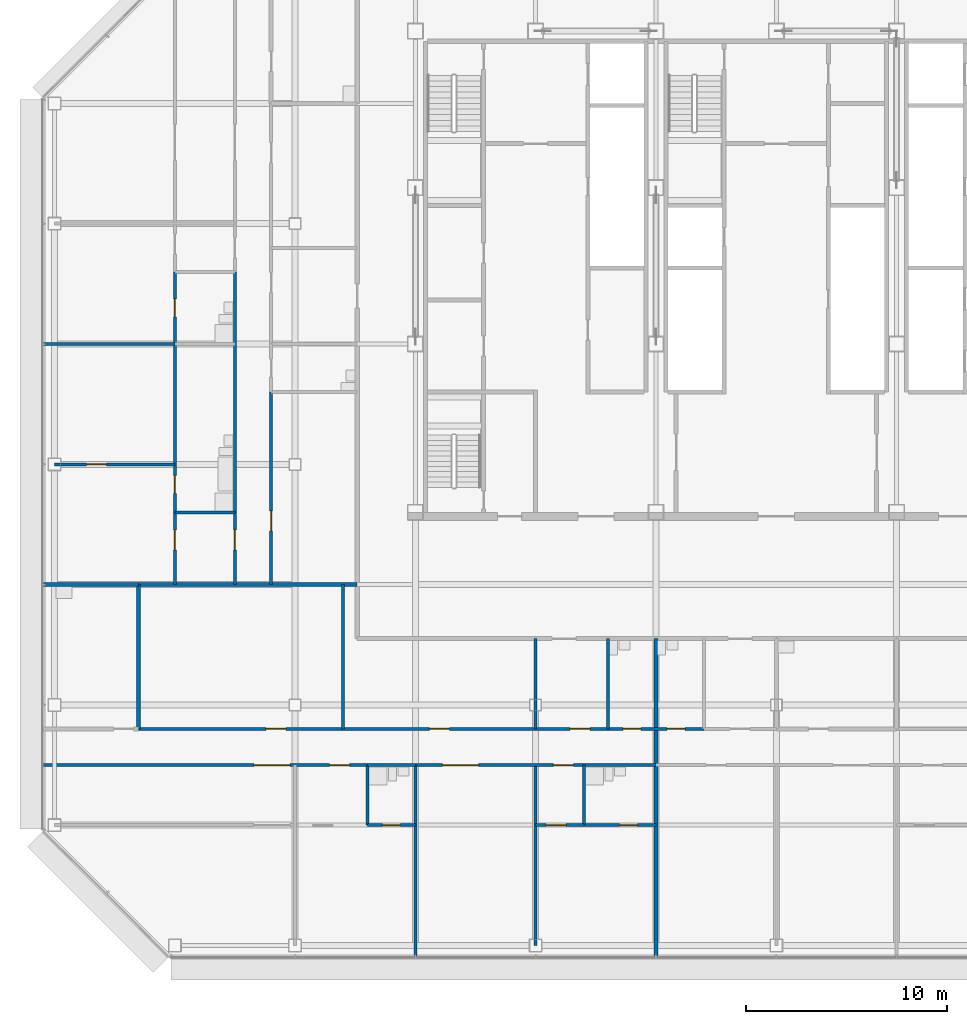
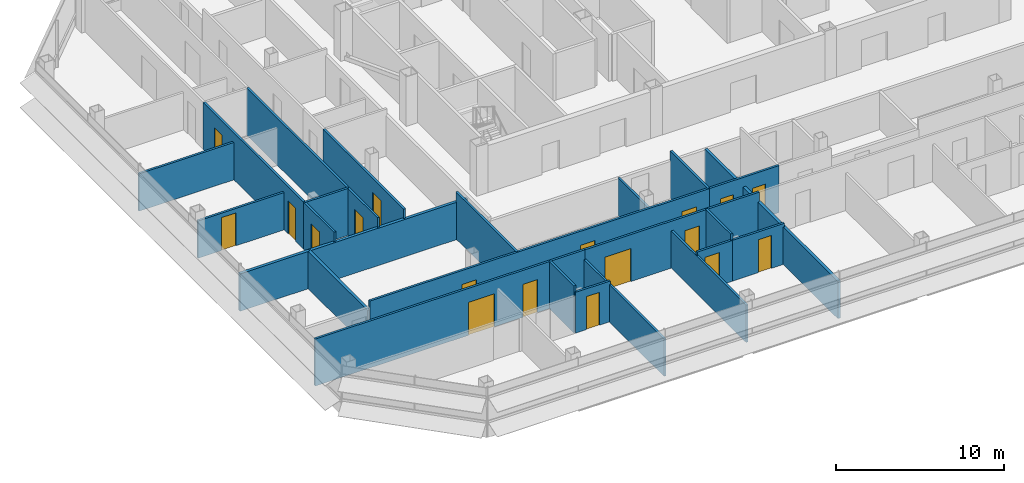
# One storey, part 20 of 27: 29 walls, 18 doors, 18 openings.
"""IFC4 building model written with IfcOpenShell, lengths in metres."""

from ifc_helpers import new_model, si_unit, direction, frame, frame_2d, origin, place, context, subcontext, project, spatial, rectangle, extrude, material, layer, layer_set, type_object, element, fill, save


model = new_model("IFC4")

# Units and contexts
model_context = context("Model", 3, precision=1e-05, world=origin(), true_north=direction((0.0, 1.0)))
body_context = subcontext(model_context, "Body", "Model", "MODEL_VIEW")
ifc_project = project(units=[si_unit("LENGTHUNIT", "METRE"), si_unit("AREAUNIT", "SQUARE_METRE"), si_unit("VOLUMEUNIT", "CUBIC_METRE"), si_unit("PLANEANGLEUNIT", "RADIAN"), si_unit("MASSUNIT", "GRAM", prefix="KILO")], contexts=[model_context])

# Site, building, storey
site_placement = place(None, origin())
site = spatial("IfcSite", under=ifc_project, at=site_placement, CompositionType="ELEMENT")
building_placement = place(site_placement, origin())
building = spatial("IfcBuilding", under=site, at=building_placement, Name="Sorahane Residences", CompositionType="ELEMENT")
storey_placement = place(building_placement, frame((0.0, 0.0, 202.800048828125)))
storey = spatial("IfcBuildingStorey", under=building, at=storey_placement, Name="L47", CompositionType="ELEMENT", Elevation=202.800048828125)

# Walls
ifc_material_1 = material(Name="Concrete blockwork C20 wall", Category="masonry")
ifc_layer_1 = layer(ifc_material_1, 0.199951171875)
ifc_layer_set_1 = layer_set([ifc_layer_1], Name="Kitchen wall 200 EI 180")
wall_type_1 = type_object("IfcWallType", Name="Kitchen wall 200 EI 180", PredefinedType="SOLIDWALL", material=ifc_layer_set_1)
wall_1_placement = place(storey_placement, frame((-7.800048828125, 10.800048828125, 0.0), z_axis=(0.0, 0.0, 1.0), x_axis=(0.0, 1.0, 0.0)))
element("IfcWall", 1, at=wall_1_placement, inside=storey, type_object=wall_type_1, Name="L47 kitchen wall", PredefinedType="SOLIDWALL", context=body_context, shape_type="SweptSolid", body=[
    extrude(rectangle(XDim=7.199951171875, YDim=0.199951171875, at=frame_2d((3.60009765625, 0.0))), origin(), (0.0, 0.0, 1.0), 2.719970703125),
])
wall_2_placement = place(storey_placement, frame((-12.60009765625, 18.0, 0.0), z_axis=(0.0, 0.0, 1.0), x_axis=(1.0, 0.0, 0.0)))
element("IfcWall", 2, at=wall_2_placement, inside=storey, type_object=wall_type_1, Name="L47 kitchen wall", PredefinedType="SOLIDWALL", context=body_context, shape_type="SweptSolid", body=[
    extrude(rectangle(XDim=4.800048828125, YDim=0.199951171875, at=frame_2d((2.39990234375, 0.0))), origin(), (0.0, 0.0, 1.0), 2.719970703125),
])

# Wall, opening, door
ifc_material_2 = material(Name="Gypsum board partition on steel studs", Category="steel")
ifc_layer_2 = layer(ifc_material_2, 0.14990234375)
ifc_layer_set_2 = layer_set([ifc_layer_2], Name="Partition 150 EI 90")
wall_type_2 = type_object("IfcWallType", Name="Partition 150 EI 90", PredefinedType="PARTITIONING", material=ifc_layer_set_2)
wall_3_placement = place(storey_placement, frame((-1.199951171875, 18.0, 0.0), z_axis=(0.0, 0.0, 1.0), x_axis=(0.0, 1.0, 0.0)))
wall_3 = element("IfcWall", 3, at=wall_3_placement, inside=storey, type_object=wall_type_2, Name="L47 partition", PredefinedType="PARTITIONING", context=body_context, shape_type="SweptSolid", body=[
    extrude(rectangle(XDim=9.60009765625, YDim=0.14990234375, at=frame_2d((4.800048828125, 0.0))), origin(), (0.0, 0.0, 1.0), 3.419921875),
])
opening_1_placement = place(wall_3_placement, frame((2.679931640625, 0.0, 0.0)))
opening_1 = element("IfcOpeningElement", 4, at=opening_1_placement, cuts=wall_3, Name="Opening L47-31", PredefinedType="OPENING", context=body_context, shape_type="SweptSolid", body=[
    extrude(rectangle(XDim=1.0, YDim=2.39990234375, at=frame_2d((0.5, 1.199951171875))), frame((0.0, 0.0849609375, 0.0), z_axis=(0.0, -1.0, 0.0), x_axis=(1.0, 0.0, 0.0)), (0.0, 0.0, 1.0), 0.169921875),
])
ifc_material_3 = material(Name="Timber veneered fire door", Category="wood")
door_type_1 = type_object("IfcDoorType", Name="Room door 1000x2400 FD30", OperationType="NOTDEFINED", PredefinedType="DOOR", material=ifc_material_3)
door_1_placement = place(opening_1_placement, frame((1.0, 0.0, 0.0), z_axis=(0.0, 0.0, 1.0), x_axis=(-1.0, 0.0, 0.0)))
door_1 = element("IfcDoor", 5, at=door_1_placement, inside=storey, type_object=door_type_1, Name="Room door L47-31", OperationType="SINGLE_SWING_LEFT", OverallHeight=2.39990234375, OverallWidth=1.0, PredefinedType="DOOR", context=body_context, shape_type="SweptSolid", body=[
    extrude(rectangle(XDim=1.0, YDim=2.39990234375, at=frame_2d((0.5, 1.199951171875))), frame((0.0, 0.02490234375, 0.0), z_axis=(0.0, -1.0, 0.0), x_axis=(1.0, 0.0, 0.0)), (0.0, 0.0, 1.0), 0.050048828125),
])
fill(opening_1, door_1)

wall_4_placement = place(storey_placement, frame((-3.0, 18.0, 0.0), z_axis=(0.0, 0.0, 1.0), x_axis=(0.0, 1.0, 0.0)))
wall_4 = element("IfcWall", 6, at=wall_4_placement, inside=storey, type_object=wall_type_2, Name="L47 partition", PredefinedType="PARTITIONING", context=body_context, shape_type="SweptSolid", body=[
    extrude(rectangle(XDim=3.60009765625, YDim=0.14990234375, at=frame_2d((1.800048828125, 0.0))), origin(), (0.0, 0.0, 1.0), 3.419921875),
])
opening_2_placement = place(wall_4_placement, frame((1.719970703125, 0.0, 0.0)))
opening_2 = element("IfcOpeningElement", 7, at=opening_2_placement, cuts=wall_4, Name="Opening L47-35", PredefinedType="OPENING", context=body_context, shape_type="SweptSolid", body=[
    extrude(rectangle(XDim=1.0, YDim=2.39990234375, at=frame_2d((0.5, 1.199951171875))), frame((0.0, 0.0849609375, 0.0), z_axis=(0.0, -1.0, 0.0), x_axis=(1.0, 0.0, 0.0)), (0.0, 0.0, 1.0), 0.169921875),
])
door_2_placement = place(opening_2_placement, origin())
door_2 = element("IfcDoor", 8, at=door_2_placement, inside=storey, type_object=door_type_1, Name="Room door L47-35", OperationType="SINGLE_SWING_RIGHT", OverallHeight=2.39990234375, OverallWidth=1.0, PredefinedType="DOOR", context=body_context, shape_type="SweptSolid", body=[
    extrude(rectangle(XDim=1.0, YDim=2.39990234375, at=frame_2d((0.5, 1.199951171875))), frame((0.0, 0.02490234375, 0.0), z_axis=(0.0, -1.0, 0.0), x_axis=(1.0, 0.0, 0.0)), (0.0, 0.0, 1.0), 0.050048828125),
])
fill(opening_2, door_2)

wall_5_placement = place(storey_placement, frame((-6.0, 18.0, 0.0), z_axis=(0.0, 0.0, 1.0), x_axis=(0.0, 1.0, 0.0)))
wall_5 = element("IfcWall", 9, at=wall_5_placement, inside=storey, type_object=wall_type_2, Name="L47 partition", PredefinedType="PARTITIONING", context=body_context, shape_type="SweptSolid", body=[
    extrude(rectangle(XDim=3.60009765625, YDim=0.14990234375, at=frame_2d((1.800048828125, 0.0))), origin(), (0.0, 0.0, 1.0), 3.419921875),
])
opening_3_placement = place(wall_5_placement, frame((1.719970703125, 0.0, 0.0)))
opening_3 = element("IfcOpeningElement", 10, at=opening_3_placement, cuts=wall_5, Name="Opening L47-38", PredefinedType="OPENING", context=body_context, shape_type="SweptSolid", body=[
    extrude(rectangle(XDim=1.0, YDim=2.39990234375, at=frame_2d((0.5, 1.199951171875))), frame((0.0, 0.0849609375, 0.0), z_axis=(0.0, -1.0, 0.0), x_axis=(1.0, 0.0, 0.0)), (0.0, 0.0, 1.0), 0.169921875),
])
door_3_placement = place(opening_3_placement, origin())
door_3 = element("IfcDoor", 11, at=door_3_placement, inside=storey, type_object=door_type_1, Name="Room door L47-38", OperationType="SINGLE_SWING_LEFT", OverallHeight=2.39990234375, OverallWidth=1.0, PredefinedType="DOOR", context=body_context, shape_type="SweptSolid", body=[
    extrude(rectangle(XDim=1.0, YDim=2.39990234375, at=frame_2d((0.5, 1.199951171875))), frame((0.0, 0.02490234375, 0.0), z_axis=(0.0, -1.0, 0.0), x_axis=(1.0, 0.0, 0.0)), (0.0, 0.0, 1.0), 0.050048828125),
])
fill(opening_3, door_3)

# Walls
wall_6_placement = place(storey_placement, frame((12.0, 0.0, 0.0), z_axis=(0.0, 0.0, 1.0), x_axis=(0.0, 1.0, 0.0)))
element("IfcWall", 12, at=wall_6_placement, inside=storey, type_object=wall_type_2, Name="L47 partition", PredefinedType="PARTITIONING", context=body_context, shape_type="SweptSolid", body=[
    extrude(rectangle(XDim=9.0, YDim=0.14990234375, at=frame_2d((4.5, 0.0))), origin(), (0.0, 0.0, 1.0), 2.719970703125),
])
wall_7_placement = place(storey_placement, frame((12.0, 10.800048828125, 0.0), z_axis=(0.0, 0.0, 1.0), x_axis=(0.0, 1.0, 0.0)))
element("IfcWall", 13, at=wall_7_placement, inside=storey, type_object=wall_type_2, Name="L47 partition", PredefinedType="PARTITIONING", context=body_context, shape_type="SweptSolid", body=[
    extrude(rectangle(XDim=4.5, YDim=0.14990234375, at=frame_2d((2.25, 0.0))), origin(), (0.0, 0.0, 1.0), 2.719970703125),
])
wall_8_placement = place(storey_placement, frame((2.39990234375, 10.800048828125, 0.0), z_axis=(0.0, 0.0, 1.0), x_axis=(0.0, 1.0, 0.0)))
element("IfcWall", 14, at=wall_8_placement, inside=storey, type_object=wall_type_2, Name="L47 partition", PredefinedType="PARTITIONING", context=body_context, shape_type="SweptSolid", body=[
    extrude(rectangle(XDim=7.199951171875, YDim=0.14990234375, at=frame_2d((3.60009765625, 0.0))), origin(), (0.0, 0.0, 1.0), 3.419921875),
])
wall_9_placement = place(storey_placement, frame((6.0, -0.60009765625, 0.0), z_axis=(0.0, 0.0, 1.0), x_axis=(0.0, 1.0, 0.0)))
element("IfcWall", 15, at=wall_9_placement, inside=storey, type_object=wall_type_2, Name="L47 partition", PredefinedType="PARTITIONING", context=body_context, shape_type="SweptSolid", body=[
    extrude(rectangle(XDim=6.60009765625, YDim=0.14990234375, at=frame_2d((3.300048828125, 0.0))), origin(), (0.0, 0.0, 1.0), 2.719970703125),
])

# Wall, openings, doors
wall_10_placement = place(storey_placement, frame((-7.800048828125, 10.800048828125, 0.0), z_axis=(0.0, 0.0, 1.0), x_axis=(1.0, 0.0, 0.0)))
wall_10 = element("IfcWall", 16, at=wall_10_placement, inside=storey, type_object=wall_type_2, Name="L47 partition", PredefinedType="PARTITIONING", context=body_context, shape_type="SweptSolid", body=[
    extrude(rectangle(XDim=23.400146484375, YDim=0.14990234375, at=frame_2d((11.7001953125, 0.0))), origin(), (0.0, 0.0, 1.0), 3.419921875),
])
opening_4_placement = place(wall_10_placement, frame((21.52001953125, 0.0, 0.0)))
opening_4 = element("IfcOpeningElement", 17, at=opening_4_placement, cuts=wall_10, Name="Opening L47-01", PredefinedType="OPENING", context=body_context, shape_type="SweptSolid", body=[
    extrude(rectangle(XDim=1.0, YDim=2.39990234375, at=frame_2d((0.5, 1.199951171875))), frame((0.0, 0.0849609375, 0.0), z_axis=(0.0, -1.0, 0.0), x_axis=(1.0, 0.0, 0.0)), (0.0, 0.0, 1.0), 0.169921875),
])
opening_5_placement = place(wall_10_placement, frame((6.340087890625, 0.0, 0.0)))
opening_5 = element("IfcOpeningElement", 18, at=opening_5_placement, cuts=wall_10, Name="Opening L47-03", PredefinedType="OPENING", context=body_context, shape_type="SweptSolid", body=[
    extrude(rectangle(XDim=1.0, YDim=2.39990234375, at=frame_2d((0.5, 1.199951171875))), frame((0.0, 0.0849609375, 0.0), z_axis=(0.0, -1.0, 0.0), x_axis=(1.0, 0.0, 0.0)), (0.0, 0.0, 1.0), 0.169921875),
])
opening_6_placement = place(wall_10_placement, frame((14.5, 0.0, 0.0)))
opening_6 = element("IfcOpeningElement", 19, at=opening_6_placement, cuts=wall_10, Name="Opening L47-04", PredefinedType="OPENING", context=body_context, shape_type="SweptSolid", body=[
    extrude(rectangle(XDim=1.0, YDim=2.39990234375, at=frame_2d((0.5, 1.199951171875))), frame((0.0, 0.0849609375, 0.0), z_axis=(0.0, -1.0, 0.0), x_axis=(1.0, 0.0, 0.0)), (0.0, 0.0, 1.0), 0.169921875),
])
door_4_placement = place(opening_4_placement, frame((1.0, 0.0, 0.0), z_axis=(0.0, 0.0, 1.0), x_axis=(-1.0, 0.0, 0.0)))
door_4 = element("IfcDoor", 20, at=door_4_placement, inside=storey, type_object=door_type_1, Name="Room door L47-01", OperationType="SINGLE_SWING_LEFT", OverallHeight=2.39990234375, OverallWidth=1.0, PredefinedType="DOOR", context=body_context, shape_type="SweptSolid", body=[
    extrude(rectangle(XDim=1.0, YDim=2.39990234375, at=frame_2d((0.5, 1.199951171875))), frame((0.0, 0.02490234375, 0.0), z_axis=(0.0, -1.0, 0.0), x_axis=(1.0, 0.0, 0.0)), (0.0, 0.0, 1.0), 0.050048828125),
])
fill(opening_4, door_4)
door_5_placement = place(opening_5_placement, origin())
door_5 = element("IfcDoor", 21, at=door_5_placement, inside=storey, type_object=door_type_1, Name="Room door L47-03", OperationType="SINGLE_SWING_LEFT", OverallHeight=2.39990234375, OverallWidth=1.0, PredefinedType="DOOR", context=body_context, shape_type="SweptSolid", body=[
    extrude(rectangle(XDim=1.0, YDim=2.39990234375, at=frame_2d((0.5, 1.199951171875))), frame((0.0, 0.02490234375, 0.0), z_axis=(0.0, -1.0, 0.0), x_axis=(1.0, 0.0, 0.0)), (0.0, 0.0, 1.0), 0.050048828125),
])
fill(opening_5, door_5)
door_6_placement = place(opening_6_placement, origin())
door_6 = element("IfcDoor", 22, at=door_6_placement, inside=storey, type_object=door_type_1, Name="Room door L47-04", OperationType="SINGLE_SWING_LEFT", OverallHeight=2.39990234375, OverallWidth=1.0, PredefinedType="DOOR", context=body_context, shape_type="SweptSolid", body=[
    extrude(rectangle(XDim=1.0, YDim=2.39990234375, at=frame_2d((0.5, 1.199951171875))), frame((0.0, 0.02490234375, 0.0), z_axis=(0.0, -1.0, 0.0), x_axis=(1.0, 0.0, 0.0)), (0.0, 0.0, 1.0), 0.050048828125),
])
fill(opening_6, door_6)

# Wall, opening, door
wall_11_placement = place(storey_placement, frame((-12.0, 24.0, 0.0), z_axis=(0.0, 0.0, 1.0), x_axis=(1.0, 0.0, 0.0)))
wall_11 = element("IfcWall", 23, at=wall_11_placement, inside=storey, type_object=wall_type_2, Name="L47 partition", PredefinedType="PARTITIONING", context=body_context, shape_type="SweptSolid", body=[
    extrude(rectangle(XDim=6.0, YDim=0.14990234375, at=frame_2d((3.0, 0.0))), origin(), (0.0, 0.0, 1.0), 2.719970703125),
])
opening_7_placement = place(wall_11_placement, frame((1.60009765625, 0.0, 0.0)))
opening_7 = element("IfcOpeningElement", 24, at=opening_7_placement, cuts=wall_11, Name="Opening L47-39", PredefinedType="OPENING", context=body_context, shape_type="SweptSolid", body=[
    extrude(rectangle(XDim=1.0, YDim=2.39990234375, at=frame_2d((0.5, 1.199951171875))), frame((0.0, 0.0849609375, 0.0), z_axis=(0.0, -1.0, 0.0), x_axis=(1.0, 0.0, 0.0)), (0.0, 0.0, 1.0), 0.169921875),
])
door_7_placement = place(opening_7_placement, origin())
door_7 = element("IfcDoor", 25, at=door_7_placement, inside=storey, type_object=door_type_1, Name="Room door L47-39", OperationType="SINGLE_SWING_LEFT", OverallHeight=2.39990234375, OverallWidth=1.0, PredefinedType="DOOR", context=body_context, shape_type="SweptSolid", body=[
    extrude(rectangle(XDim=1.0, YDim=2.39990234375, at=frame_2d((0.5, 1.199951171875))), frame((0.0, 0.02490234375, 0.0), z_axis=(0.0, -1.0, 0.0), x_axis=(1.0, 0.0, 0.0)), (0.0, 0.0, 1.0), 0.050048828125),
])
fill(opening_7, door_7)

# Wall
wall_12_placement = place(storey_placement, frame((-12.60009765625, 30.0, 0.0), z_axis=(0.0, 0.0, 1.0), x_axis=(1.0, 0.0, 0.0)))
element("IfcWall", 26, at=wall_12_placement, inside=storey, type_object=wall_type_2, Name="L47 partition", PredefinedType="PARTITIONING", context=body_context, shape_type="SweptSolid", body=[
    extrude(rectangle(XDim=6.60009765625, YDim=0.14990234375, at=frame_2d((3.300048828125, 0.0))), origin(), (0.0, 0.0, 1.0), 2.719970703125),
])

# Wall, opening, door
wall_13_placement = place(storey_placement, frame((12.0, 6.0, 0.0), z_axis=(0.0, 0.0, 1.0), x_axis=(1.0, 0.0, 0.0)))
wall_13 = element("IfcWall", 27, at=wall_13_placement, inside=storey, type_object=wall_type_2, Name="L47 partition", PredefinedType="PARTITIONING", context=body_context, shape_type="SweptSolid", body=[
    extrude(rectangle(XDim=2.39990234375, YDim=0.14990234375, at=frame_2d((1.199951171875, 0.0))), origin(), (0.0, 0.0, 1.0), 2.969970703125),
])
opening_8_placement = place(wall_13_placement, frame((0.52001953125, 0.0, 0.0)))
opening_8 = element("IfcOpeningElement", 28, at=opening_8_placement, cuts=wall_13, Name="Opening L47-13", PredefinedType="OPENING", context=body_context, shape_type="SweptSolid", body=[
    extrude(rectangle(XDim=1.0, YDim=2.39990234375, at=frame_2d((0.5, 1.199951171875))), frame((0.0, 0.0849609375, 0.0), z_axis=(0.0, -1.0, 0.0), x_axis=(1.0, 0.0, 0.0)), (0.0, 0.0, 1.0), 0.169921875),
])
door_8_placement = place(opening_8_placement, frame((1.0, 0.0, 0.0), z_axis=(0.0, 0.0, 1.0), x_axis=(-1.0, 0.0, 0.0)))
door_8 = element("IfcDoor", 29, at=door_8_placement, inside=storey, type_object=door_type_1, Name="Room door L47-13", OperationType="SINGLE_SWING_LEFT", OverallHeight=2.39990234375, OverallWidth=1.0, PredefinedType="DOOR", context=body_context, shape_type="SweptSolid", body=[
    extrude(rectangle(XDim=1.0, YDim=2.39990234375, at=frame_2d((0.5, 1.199951171875))), frame((0.0, 0.02490234375, 0.0), z_axis=(0.0, -1.0, 0.0), x_axis=(1.0, 0.0, 0.0)), (0.0, 0.0, 1.0), 0.050048828125),
])
fill(opening_8, door_8)

# Wall, openings, doors
wall_14_placement = place(storey_placement, frame((-12.60009765625, 9.0, 0.0), z_axis=(0.0, 0.0, 1.0), x_axis=(1.0, 0.0, 0.0)))
wall_14 = element("IfcWall", 30, at=wall_14_placement, inside=storey, type_object=wall_type_2, Name="L47 partition", PredefinedType="PARTITIONING", context=body_context, shape_type="SweptSolid", body=[
    extrude(rectangle(XDim=16.2001953125, YDim=0.14990234375, at=frame_2d((8.10009765625, 0.0))), origin(), (0.0, 0.0, 1.0), 3.419921875),
])
opening_9_placement = place(wall_14_placement, frame((10.550048828125, 0.0, 0.0)))
opening_9 = element("IfcOpeningElement", 31, at=opening_9_placement, cuts=wall_14, Name="Opening L47-06", PredefinedType="OPENING", context=body_context, shape_type="SweptSolid", body=[
    extrude(rectangle(XDim=1.800048828125, YDim=2.39990234375, at=frame_2d((0.89990234375, 1.199951171875))), frame((0.0, 0.0849609375, 0.0), z_axis=(0.0, -1.0, 0.0), x_axis=(1.0, 0.0, 0.0)), (0.0, 0.0, 1.0), 0.169921875),
])
opening_10_placement = place(wall_14_placement, frame((14.320068359375, 0.0, 0.0)))
opening_10 = element("IfcOpeningElement", 32, at=opening_10_placement, cuts=wall_14, Name="Opening L47-07", PredefinedType="OPENING", context=body_context, shape_type="SweptSolid", body=[
    extrude(rectangle(XDim=1.0, YDim=2.39990234375, at=frame_2d((0.5, 1.199951171875))), frame((0.0, 0.0849609375, 0.0), z_axis=(0.0, -1.0, 0.0), x_axis=(1.0, 0.0, 0.0)), (0.0, 0.0, 1.0), 0.169921875),
])
ifc_material_4 = material(Name="Timber veneered fire door", Category="wood")
door_type_2 = type_object("IfcDoorType", Name="Double door 1800x2400 FD30", OperationType="NOTDEFINED", PredefinedType="DOOR", material=ifc_material_4)
door_9_placement = place(opening_9_placement, frame((1.800048828125, 0.0, 0.0), z_axis=(0.0, 0.0, 1.0), x_axis=(-1.0, 0.0, 0.0)))
door_9 = element("IfcDoor", 33, at=door_9_placement, inside=storey, type_object=door_type_2, Name="Double door L47-06", OperationType="SINGLE_SWING_RIGHT", OverallHeight=2.39990234375, OverallWidth=1.800048828125, PredefinedType="DOOR", context=body_context, shape_type="SweptSolid", body=[
    extrude(rectangle(XDim=1.800048828125, YDim=2.39990234375, at=frame_2d((0.89990234375, 1.199951171875))), frame((0.0, 0.02490234375, 0.0), z_axis=(0.0, -1.0, 0.0), x_axis=(1.0, 0.0, 0.0)), (0.0, 0.0, 1.0), 0.050048828125),
])
fill(opening_9, door_9)
door_10_placement = place(opening_10_placement, frame((1.0, 0.0, 0.0), z_axis=(0.0, 0.0, 1.0), x_axis=(-1.0, 0.0, 0.0)))
door_10 = element("IfcDoor", 34, at=door_10_placement, inside=storey, type_object=door_type_1, Name="Room door L47-07", OperationType="SINGLE_SWING_RIGHT", OverallHeight=2.39990234375, OverallWidth=1.0, PredefinedType="DOOR", context=body_context, shape_type="SweptSolid", body=[
    extrude(rectangle(XDim=1.0, YDim=2.39990234375, at=frame_2d((0.5, 1.199951171875))), frame((0.0, 0.02490234375, 0.0), z_axis=(0.0, -1.0, 0.0), x_axis=(1.0, 0.0, 0.0)), (0.0, 0.0, 1.0), 0.050048828125),
])
fill(opening_10, door_10)

wall_15_placement = place(storey_placement, frame((6.0, 9.0, 0.0), z_axis=(0.0, 0.0, 1.0), x_axis=(1.0, 0.0, 0.0)))
wall_15 = element("IfcWall", 35, at=wall_15_placement, inside=storey, type_object=wall_type_2, Name="L47 partition", PredefinedType="PARTITIONING", context=body_context, shape_type="SweptSolid", body=[
    extrude(rectangle(XDim=8.39990234375, YDim=0.14990234375, at=frame_2d((4.199951171875, 0.0))), origin(), (0.0, 0.0, 1.0), 3.419921875),
])
opening_11_placement = place(wall_15_placement, frame((1.360107421875, 0.0, 0.0)))
opening_11 = element("IfcOpeningElement", 36, at=opening_11_placement, cuts=wall_15, Name="Opening L47-08", PredefinedType="OPENING", context=body_context, shape_type="SweptSolid", body=[
    extrude(rectangle(XDim=1.800048828125, YDim=2.39990234375, at=frame_2d((0.89990234375, 1.199951171875))), frame((0.0, 0.0849609375, 0.0), z_axis=(0.0, -1.0, 0.0), x_axis=(1.0, 0.0, 0.0)), (0.0, 0.0, 1.0), 0.169921875),
])
opening_12_placement = place(wall_15_placement, frame((6.8798828125, 0.0, 0.0)))
opening_12 = element("IfcOpeningElement", 37, at=opening_12_placement, cuts=wall_15, Name="Opening L47-09", PredefinedType="OPENING", context=body_context, shape_type="SweptSolid", body=[
    extrude(rectangle(XDim=1.0, YDim=2.39990234375, at=frame_2d((0.5, 1.199951171875))), frame((0.0, 0.0849609375, 0.0), z_axis=(0.0, -1.0, 0.0), x_axis=(1.0, 0.0, 0.0)), (0.0, 0.0, 1.0), 0.169921875),
])
door_11_placement = place(opening_11_placement, frame((1.800048828125, 0.0, 0.0), z_axis=(0.0, 0.0, 1.0), x_axis=(-1.0, 0.0, 0.0)))
door_11 = element("IfcDoor", 38, at=door_11_placement, inside=storey, type_object=door_type_2, Name="Double door L47-08", OperationType="SINGLE_SWING_LEFT", OverallHeight=2.39990234375, OverallWidth=1.800048828125, PredefinedType="DOOR", context=body_context, shape_type="SweptSolid", body=[
    extrude(rectangle(XDim=1.800048828125, YDim=2.39990234375, at=frame_2d((0.89990234375, 1.199951171875))), frame((0.0, 0.02490234375, 0.0), z_axis=(0.0, -1.0, 0.0), x_axis=(1.0, 0.0, 0.0)), (0.0, 0.0, 1.0), 0.050048828125),
])
fill(opening_11, door_11)
door_12_placement = place(opening_12_placement, frame((1.0, 0.0, 0.0), z_axis=(0.0, 0.0, 1.0), x_axis=(-1.0, 0.0, 0.0)))
door_12 = element("IfcDoor", 39, at=door_12_placement, inside=storey, type_object=door_type_1, Name="Room door L47-09", OperationType="SINGLE_SWING_RIGHT", OverallHeight=2.39990234375, OverallWidth=1.0, PredefinedType="DOOR", context=body_context, shape_type="SweptSolid", body=[
    extrude(rectangle(XDim=1.0, YDim=2.39990234375, at=frame_2d((0.5, 1.199951171875))), frame((0.0, 0.02490234375, 0.0), z_axis=(0.0, -1.0, 0.0), x_axis=(1.0, 0.0, 0.0)), (0.0, 0.0, 1.0), 0.050048828125),
])
fill(opening_12, door_12)

# Walls
ifc_material_5 = material(Name="Concrete blockwork C20 wall", Category="masonry")
ifc_layer_3 = layer(ifc_material_5, 0.199951171875)
ifc_layer_set_3 = layer_set([ifc_layer_3], Name="Party wall 200 EI 120")
wall_type_3 = type_object("IfcWallType", Name="Party wall 200 EI 120", PredefinedType="SOLIDWALL", material=ifc_layer_set_3)
wall_16_placement = place(storey_placement, frame((18.0, -0.60009765625, 0.0), z_axis=(0.0, 0.0, 1.0), x_axis=(0.0, 1.0, 0.0)))
element("IfcWall", 40, at=wall_16_placement, inside=storey, type_object=wall_type_3, Name="L47 party wall", PredefinedType="SOLIDWALL", context=body_context, shape_type="SweptSolid", body=[
    extrude(rectangle(XDim=15.900146484375, YDim=0.199951171875, at=frame_2d((7.9501953125, 0.0))), origin(), (0.0, 0.0, 1.0), 2.719970703125),
])
wall_17_placement = place(storey_placement, frame((-7.800048828125, 18.0, 0.0), z_axis=(0.0, 0.0, 1.0), x_axis=(1.0, 0.0, 0.0)))
element("IfcWall", 41, at=wall_17_placement, inside=storey, type_object=wall_type_3, Name="L47 party wall", PredefinedType="SOLIDWALL", context=body_context, shape_type="SweptSolid", body=[
    extrude(rectangle(XDim=10.900146484375, YDim=0.199951171875, at=frame_2d((5.4501953125, 0.0))), origin(), (0.0, 0.0, 1.0), 2.719970703125),
])
ifc_material_6 = material(Name="Gypsum board partition on steel studs", Category="steel")
ifc_layer_4 = layer(ifc_material_6, 0.14990234375)
ifc_layer_set_4 = layer_set([ifc_layer_4], Name="Wet wall 150 EI 90")
wall_type_4 = type_object("IfcWallType", Name="Wet wall 150 EI 90", PredefinedType="PARTITIONING", material=ifc_layer_set_4)
wall_18_placement = place(storey_placement, frame((-3.0, 21.60009765625, 0.0), z_axis=(0.0, 0.0, 1.0), x_axis=(0.0, 1.0, 0.0)))
element("IfcWall", 42, at=wall_18_placement, inside=storey, type_object=wall_type_4, Name="L47 wet wall", PredefinedType="PARTITIONING", context=body_context, shape_type="SweptSolid", body=[
    extrude(rectangle(XDim=12.0, YDim=0.14990234375, at=frame_2d((6.0, 0.0))), origin(), (0.0, 0.0, 1.0), 3.419921875),
])

# Wall, openings, doors
wall_19_placement = place(storey_placement, frame((-6.0, 21.60009765625, 0.0), z_axis=(0.0, 0.0, 1.0), x_axis=(0.0, 1.0, 0.0)))
wall_19 = element("IfcWall", 43, at=wall_19_placement, inside=storey, type_object=wall_type_4, Name="L47 wet wall", PredefinedType="PARTITIONING", context=body_context, shape_type="SweptSolid", body=[
    extrude(rectangle(XDim=12.0, YDim=0.14990234375, at=frame_2d((6.0, 0.0))), origin(), (0.0, 0.0, 1.0), 3.419921875),
])
opening_13_placement = place(wall_19_placement, frame((0.949951171875, 0.0, 0.0)))
opening_13 = element("IfcOpeningElement", 44, at=opening_13_placement, cuts=wall_19, Name="Opening L47-40", PredefinedType="OPENING", context=body_context, shape_type="SweptSolid", body=[
    extrude(rectangle(XDim=0.89990234375, YDim=2.39990234375, at=frame_2d((0.449951171875, 1.199951171875))), frame((0.0, 0.0849609375, 0.0), z_axis=(0.0, -1.0, 0.0), x_axis=(1.0, 0.0, 0.0)), (0.0, 0.0, 1.0), 0.169921875),
])
opening_14_placement = place(wall_19_placement, frame((9.75, 0.0, 0.0)))
opening_14 = element("IfcOpeningElement", 45, at=opening_14_placement, cuts=wall_19, Name="Opening L47-42", PredefinedType="OPENING", context=body_context, shape_type="SweptSolid", body=[
    extrude(rectangle(XDim=0.89990234375, YDim=2.39990234375, at=frame_2d((0.449951171875, 1.199951171875))), frame((0.0, 0.0849609375, 0.0), z_axis=(0.0, -1.0, 0.0), x_axis=(1.0, 0.0, 0.0)), (0.0, 0.0, 1.0), 0.169921875),
])
ifc_material_7 = material(Name="Timber veneered fire door", Category="wood")
door_type_3 = type_object("IfcDoorType", Name="Bathroom door 900x2400 FD30", OperationType="NOTDEFINED", PredefinedType="DOOR", material=ifc_material_7)
door_13_placement = place(opening_13_placement, origin())
door_13 = element("IfcDoor", 46, at=door_13_placement, inside=storey, type_object=door_type_3, Name="Bathroom door L47-40", OperationType="SINGLE_SWING_RIGHT", OverallHeight=2.39990234375, OverallWidth=0.89990234375, PredefinedType="DOOR", context=body_context, shape_type="SweptSolid", body=[
    extrude(rectangle(XDim=0.89990234375, YDim=2.39990234375, at=frame_2d((0.449951171875, 1.199951171875))), frame((0.0, 0.02490234375, 0.0), z_axis=(0.0, -1.0, 0.0), x_axis=(1.0, 0.0, 0.0)), (0.0, 0.0, 1.0), 0.050048828125),
])
fill(opening_13, door_13)
door_14_placement = place(opening_14_placement, origin())
door_14 = element("IfcDoor", 47, at=door_14_placement, inside=storey, type_object=door_type_3, Name="Bathroom door L47-42", OperationType="SINGLE_SWING_LEFT", OverallHeight=2.39990234375, OverallWidth=0.89990234375, PredefinedType="DOOR", context=body_context, shape_type="SweptSolid", body=[
    extrude(rectangle(XDim=0.89990234375, YDim=2.39990234375, at=frame_2d((0.449951171875, 1.199951171875))), frame((0.0, 0.02490234375, 0.0), z_axis=(0.0, -1.0, 0.0), x_axis=(1.0, 0.0, 0.0)), (0.0, 0.0, 1.0), 0.050048828125),
])
fill(opening_14, door_14)

# Walls
wall_20_placement = place(storey_placement, frame((14.39990234375, 6.0, 0.0), z_axis=(0.0, 0.0, 1.0), x_axis=(0.0, 1.0, 0.0)))
element("IfcWall", 48, at=wall_20_placement, inside=storey, type_object=wall_type_4, Name="L47 wet wall", PredefinedType="PARTITIONING", context=body_context, shape_type="SweptSolid", body=[
    extrude(rectangle(XDim=3.0, YDim=0.14990234375, at=frame_2d((1.5, 0.0))), origin(), (0.0, 0.0, 1.0), 3.419921875),
])
wall_21_placement = place(storey_placement, frame((15.60009765625, 10.800048828125, 0.0), z_axis=(0.0, 0.0, 1.0), x_axis=(0.0, 1.0, 0.0)))
element("IfcWall", 49, at=wall_21_placement, inside=storey, type_object=wall_type_4, Name="L47 wet wall", PredefinedType="PARTITIONING", context=body_context, shape_type="SweptSolid", body=[
    extrude(rectangle(XDim=4.5, YDim=0.14990234375, at=frame_2d((2.25, 0.0))), origin(), (0.0, 0.0, 1.0), 3.419921875),
])
wall_22_placement = place(storey_placement, frame((3.60009765625, 6.0, 0.0), z_axis=(0.0, 0.0, 1.0), x_axis=(0.0, 1.0, 0.0)))
element("IfcWall", 50, at=wall_22_placement, inside=storey, type_object=wall_type_4, Name="L47 wet wall", PredefinedType="PARTITIONING", context=body_context, shape_type="SweptSolid", body=[
    extrude(rectangle(XDim=3.0, YDim=0.14990234375, at=frame_2d((1.5, 0.0))), origin(), (0.0, 0.0, 1.0), 3.419921875),
])
wall_23_placement = place(storey_placement, frame((6.0, 6.0, 0.0), z_axis=(0.0, 0.0, 1.0), x_axis=(0.0, 1.0, 0.0)))
element("IfcWall", 51, at=wall_23_placement, inside=storey, type_object=wall_type_4, Name="L47 wet wall", PredefinedType="PARTITIONING", context=body_context, shape_type="SweptSolid", body=[
    extrude(rectangle(XDim=3.0, YDim=0.14990234375, at=frame_2d((1.5, 0.0))), origin(), (0.0, 0.0, 1.0), 2.719970703125),
])

# Wall, openings, doors
wall_24_placement = place(storey_placement, frame((15.60009765625, 10.800048828125, 0.0), z_axis=(0.0, 0.0, 1.0), x_axis=(1.0, 0.0, 0.0)))
wall_24 = element("IfcWall", 52, at=wall_24_placement, inside=storey, type_object=wall_type_4, Name="L47 wet wall", PredefinedType="PARTITIONING", context=body_context, shape_type="SweptSolid", body=[
    extrude(rectangle(XDim=4.7998046875, YDim=0.14990234375, at=frame_2d((2.39990234375, 0.0))), origin(), (0.0, 0.0, 1.0), 3.419921875),
])
opening_15_placement = place(wall_24_placement, frame((0.75, 0.0, 0.0)))
opening_15 = element("IfcOpeningElement", 53, at=opening_15_placement, cuts=wall_24, Name="Opening L47-05", PredefinedType="OPENING", context=body_context, shape_type="SweptSolid", body=[
    extrude(rectangle(XDim=0.89990234375, YDim=2.39990234375, at=frame_2d((0.449951171875, 1.199951171875))), frame((0.0, 0.0849609375, 0.0), z_axis=(0.0, -1.0, 0.0), x_axis=(1.0, 0.0, 0.0)), (0.0, 0.0, 1.0), 0.169921875),
])
opening_16_placement = place(wall_24_placement, frame((2.949951171875, 0.0, 0.0)))
opening_16 = element("IfcOpeningElement", 54, at=opening_16_placement, cuts=wall_24, Name="Opening L47-16", PredefinedType="OPENING", context=body_context, shape_type="SweptSolid", body=[
    extrude(rectangle(XDim=0.89990234375, YDim=2.39990234375, at=frame_2d((0.449951171875, 1.199951171875))), frame((0.0, 0.0849609375, 0.0), z_axis=(0.0, -1.0, 0.0), x_axis=(1.0, 0.0, 0.0)), (0.0, 0.0, 1.0), 0.169921875),
])
door_15_placement = place(opening_15_placement, frame((0.89990234375, 0.0, 0.0), z_axis=(0.0, 0.0, 1.0), x_axis=(-1.0, 0.0, 0.0)))
door_15 = element("IfcDoor", 55, at=door_15_placement, inside=storey, type_object=door_type_3, Name="Bathroom door L47-05", OperationType="SINGLE_SWING_LEFT", OverallHeight=2.39990234375, OverallWidth=0.89990234375, PredefinedType="DOOR", context=body_context, shape_type="SweptSolid", body=[
    extrude(rectangle(XDim=0.89990234375, YDim=2.39990234375, at=frame_2d((0.449951171875, 1.199951171875))), frame((0.0, 0.02490234375, 0.0), z_axis=(0.0, -1.0, 0.0), x_axis=(1.0, 0.0, 0.0)), (0.0, 0.0, 1.0), 0.050048828125),
])
fill(opening_15, door_15)
door_16_placement = place(opening_16_placement, frame((0.89990234375, 0.0, 0.0), z_axis=(0.0, 0.0, 1.0), x_axis=(-1.0, 0.0, 0.0)))
door_16 = element("IfcDoor", 56, at=door_16_placement, inside=storey, type_object=door_type_3, Name="Bathroom door L47-16", OperationType="SINGLE_SWING_RIGHT", OverallHeight=2.39990234375, OverallWidth=0.89990234375, PredefinedType="DOOR", context=body_context, shape_type="SweptSolid", body=[
    extrude(rectangle(XDim=0.89990234375, YDim=2.39990234375, at=frame_2d((0.449951171875, 1.199951171875))), frame((0.0, 0.02490234375, 0.0), z_axis=(0.0, -1.0, 0.0), x_axis=(1.0, 0.0, 0.0)), (0.0, 0.0, 1.0), 0.050048828125),
])
fill(opening_16, door_16)

# Wall
wall_25_placement = place(storey_placement, frame((-6.0, 21.60009765625, 0.0), z_axis=(0.0, 0.0, 1.0), x_axis=(1.0, 0.0, 0.0)))
element("IfcWall", 57, at=wall_25_placement, inside=storey, type_object=wall_type_4, Name="L47 wet wall", PredefinedType="PARTITIONING", context=body_context, shape_type="SweptSolid", body=[
    extrude(rectangle(XDim=3.0, YDim=0.14990234375, at=frame_2d((1.5, 0.0))), origin(), (0.0, 0.0, 1.0), 3.419921875),
])

# Wall, opening, door
wall_26_placement = place(storey_placement, frame((3.60009765625, 6.0, 0.0), z_axis=(0.0, 0.0, 1.0), x_axis=(1.0, 0.0, 0.0)))
wall_26 = element("IfcWall", 58, at=wall_26_placement, inside=storey, type_object=wall_type_4, Name="L47 wet wall", PredefinedType="PARTITIONING", context=body_context, shape_type="SweptSolid", body=[
    extrude(rectangle(XDim=2.39990234375, YDim=0.14990234375, at=frame_2d((1.199951171875, 0.0))), origin(), (0.0, 0.0, 1.0), 2.969970703125),
])
opening_17_placement = place(wall_26_placement, frame((0.75, 0.0, 0.0)))
opening_17 = element("IfcOpeningElement", 59, at=opening_17_placement, cuts=wall_26, Name="Opening L47-12", PredefinedType="OPENING", context=body_context, shape_type="SweptSolid", body=[
    extrude(rectangle(XDim=0.89990234375, YDim=2.39990234375, at=frame_2d((0.449951171875, 1.199951171875))), frame((0.0, 0.0849609375, 0.0), z_axis=(0.0, -1.0, 0.0), x_axis=(1.0, 0.0, 0.0)), (0.0, 0.0, 1.0), 0.169921875),
])
door_17_placement = place(opening_17_placement, frame((0.89990234375, 0.0, 0.0), z_axis=(0.0, 0.0, 1.0), x_axis=(-1.0, 0.0, 0.0)))
door_17 = element("IfcDoor", 60, at=door_17_placement, inside=storey, type_object=door_type_3, Name="Bathroom door L47-12", OperationType="SINGLE_SWING_LEFT", OverallHeight=2.39990234375, OverallWidth=0.89990234375, PredefinedType="DOOR", context=body_context, shape_type="SweptSolid", body=[
    extrude(rectangle(XDim=0.89990234375, YDim=2.39990234375, at=frame_2d((0.449951171875, 1.199951171875))), frame((0.0, 0.02490234375, 0.0), z_axis=(0.0, -1.0, 0.0), x_axis=(1.0, 0.0, 0.0)), (0.0, 0.0, 1.0), 0.050048828125),
])
fill(opening_17, door_17)

wall_27_placement = place(storey_placement, frame((14.39990234375, 6.0, 0.0), z_axis=(0.0, 0.0, 1.0), x_axis=(1.0, 0.0, 0.0)))
wall_27 = element("IfcWall", 61, at=wall_27_placement, inside=storey, type_object=wall_type_4, Name="L47 wet wall", PredefinedType="PARTITIONING", context=body_context, shape_type="SweptSolid", body=[
    extrude(rectangle(XDim=3.60009765625, YDim=0.14990234375, at=frame_2d((1.800048828125, 0.0))), origin(), (0.0, 0.0, 1.0), 2.969970703125),
])
opening_18_placement = place(wall_27_placement, frame((1.7900390625, 0.0, 0.0)))
opening_18 = element("IfcOpeningElement", 62, at=opening_18_placement, cuts=wall_27, Name="Opening L47-14", PredefinedType="OPENING", context=body_context, shape_type="SweptSolid", body=[
    extrude(rectangle(XDim=0.89990234375, YDim=2.39990234375, at=frame_2d((0.449951171875, 1.199951171875))), frame((0.0, 0.0849609375, 0.0), z_axis=(0.0, -1.0, 0.0), x_axis=(1.0, 0.0, 0.0)), (0.0, 0.0, 1.0), 0.169921875),
])
door_18_placement = place(opening_18_placement, frame((0.89990234375, 0.0, 0.0), z_axis=(0.0, 0.0, 1.0), x_axis=(-1.0, 0.0, 0.0)))
door_18 = element("IfcDoor", 63, at=door_18_placement, inside=storey, type_object=door_type_3, Name="Bathroom door L47-14", OperationType="SINGLE_SWING_RIGHT", OverallHeight=2.39990234375, OverallWidth=0.89990234375, PredefinedType="DOOR", context=body_context, shape_type="SweptSolid", body=[
    extrude(rectangle(XDim=0.89990234375, YDim=2.39990234375, at=frame_2d((0.449951171875, 1.199951171875))), frame((0.0, 0.02490234375, 0.0), z_axis=(0.0, -1.0, 0.0), x_axis=(1.0, 0.0, 0.0)), (0.0, 0.0, 1.0), 0.050048828125),
])
fill(opening_18, door_18)

# Walls
wall_28_placement = place(storey_placement, frame((3.60009765625, 9.0, 0.0), z_axis=(0.0, 0.0, 1.0), x_axis=(1.0, 0.0, 0.0)))
element("IfcWall", 64, at=wall_28_placement, inside=storey, type_object=wall_type_4, Name="L47 wet wall", PredefinedType="PARTITIONING", context=body_context, shape_type="SweptSolid", body=[
    extrude(rectangle(XDim=2.39990234375, YDim=0.14990234375, at=frame_2d((1.199951171875, 0.0))), origin(), (0.0, 0.0, 1.0), 3.419921875),
])
wall_29_placement = place(storey_placement, frame((14.39990234375, 9.0, 0.0), z_axis=(0.0, 0.0, 1.0), x_axis=(1.0, 0.0, 0.0)))
element("IfcWall", 65, at=wall_29_placement, inside=storey, type_object=wall_type_4, Name="L47 wet wall", PredefinedType="PARTITIONING", context=body_context, shape_type="SweptSolid", body=[
    extrude(rectangle(XDim=3.60009765625, YDim=0.14990234375, at=frame_2d((1.800048828125, 0.0))), origin(), (0.0, 0.0, 1.0), 3.419921875),
])

save(model, "model.ifc")
